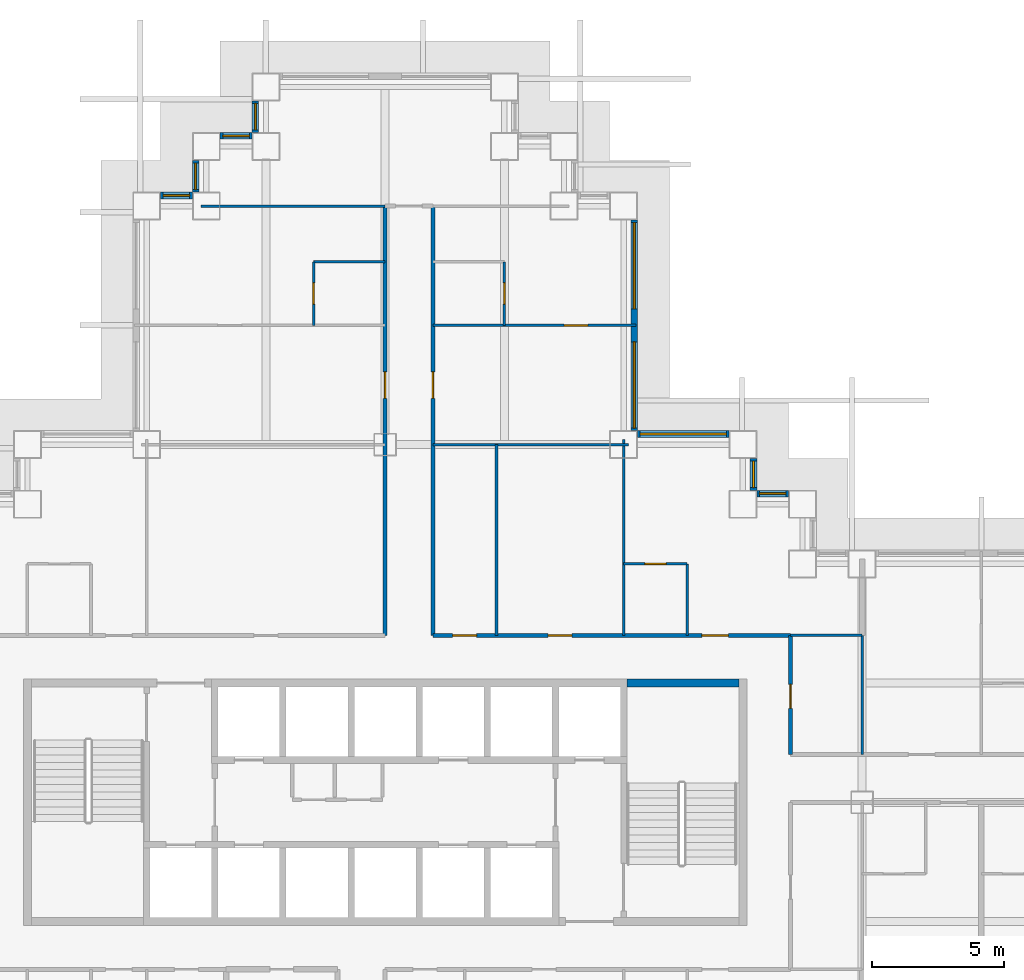
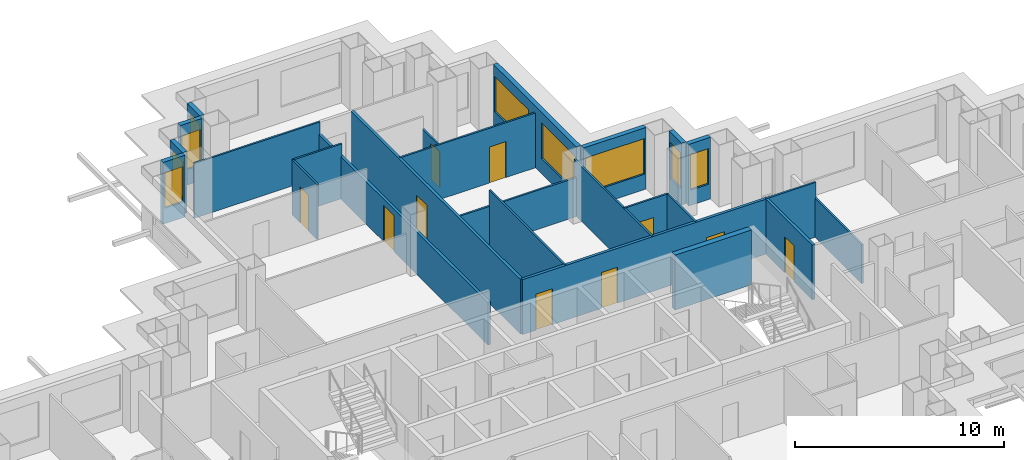
# One storey, part 8 of 15: 25 walls, 10 doors, 9 windows, 19 openings.
"""IFC4 building model written with IfcOpenShell, lengths in metres."""

from ifc_helpers import new_model, si_unit, direction, frame, frame_2d, origin, place, context, subcontext, project, spatial, rectangle, extrude, material, layer, layer_set, type_object, element, fill, save


model = new_model("IFC4")

# Units and contexts
model_context = context("Model", 3, precision=1e-05, world=origin(), true_north=direction((0.0, 1.0)))
body_context = subcontext(model_context, "Body", "Model", "MODEL_VIEW")
ifc_project = project(units=[si_unit("LENGTHUNIT", "METRE"), si_unit("AREAUNIT", "SQUARE_METRE"), si_unit("VOLUMEUNIT", "CUBIC_METRE"), si_unit("PLANEANGLEUNIT", "RADIAN"), si_unit("MASSUNIT", "GRAM", prefix="KILO")], contexts=[model_context])

# Site, building, storey
site_placement = place(None, origin())
site = spatial("IfcSite", under=ifc_project, at=site_placement, CompositionType="ELEMENT")
building_placement = place(site_placement, origin())
building = spatial("IfcBuilding", under=site, at=building_placement, Name="Caravel Reach Hotel and Residences", CompositionType="ELEMENT")
storey_placement = place(building_placement, frame((0.0, 0.0, 44.39990234375)))
storey = spatial("IfcBuildingStorey", under=building, at=storey_placement, Name="L09", CompositionType="ELEMENT", Elevation=44.39990234375)

# Wall, opening, door
ifc_material_1 = material(Name="Gypsum board on steel stud", Category="steel")
ifc_layer_1 = layer(ifc_material_1, 0.10009765625)
ifc_layer_set_1 = layer_set([ifc_layer_1], Name="Bathroom pod wall 100 mm")
wall_type_1 = type_object("IfcWallType", Name="Bathroom pod wall 100 mm", PredefinedType="PARTITIONING", material=ifc_layer_set_1)
wall_1_placement = place(storey_placement, frame((40.5, 36.0, 0.0), z_axis=(0.0, 0.0, 1.0), x_axis=(1.0, 0.0, 0.0)))
wall_1 = element("IfcWall", 1, at=wall_1_placement, inside=storey, type_object=wall_type_1, Name="L09 wall w086", PredefinedType="PARTITIONING", context=body_context, shape_type="SweptSolid", body=[
    extrude(rectangle(XDim=2.39990234375, YDim=0.10009765625, at=frame_2d((1.199951171875, 0.0))), origin(), (0.0, 0.0, 1.0), 3.2001953125),
])
opening_1_placement = place(wall_1_placement, frame((0.800048828125, 0.0, 0.0)))
opening_1 = element("IfcOpeningElement", 2, at=opening_1_placement, cuts=wall_1, Name="Opening D09-045", PredefinedType="OPENING", context=body_context, shape_type="SweptSolid", body=[
    extrude(rectangle(XDim=0.800048828125, YDim=2.10009765625, at=frame_2d((0.39990234375, 1.050048828125))), frame((0.0, 0.06005859375, 0.0), z_axis=(0.0, -1.0, 0.0), x_axis=(1.0, 0.0, 0.0)), (0.0, 0.0, 1.0), 0.1201171875),
])
ifc_material_2 = material(Name="Timber and steel door leaf", Category="steel")
door_type_1 = type_object("IfcDoorType", Name="Bathroom door 800 x 2100", OperationType="SINGLE_SWING_LEFT", PredefinedType="DOOR", material=ifc_material_2)
door_1_placement = place(opening_1_placement, origin())
door_1 = element("IfcDoor", 3, at=door_1_placement, inside=storey, type_object=door_type_1, Name="door D09-045", OperationType="SINGLE_SWING_LEFT", OverallHeight=2.10009765625, OverallWidth=0.800048828125, PredefinedType="DOOR", context=body_context, shape_type="SweptSolid", body=[
    extrude(rectangle(XDim=0.800048828125, YDim=2.10009765625, at=frame_2d((0.39990234375, 1.050048828125))), frame((0.0, 0.02490234375, 0.0), z_axis=(0.0, -1.0, 0.0), x_axis=(1.0, 0.0, 0.0)), (0.0, 0.0, 1.0), 0.050048828125),
])
fill(opening_1, door_1)

# Wall
wall_2_placement = place(storey_placement, frame((28.800048828125, 47.39990234375, 0.0), z_axis=(0.0, 0.0, 1.0), x_axis=(1.0, 0.0, 0.0)))
element("IfcWall", 4, at=wall_2_placement, inside=storey, type_object=wall_type_1, Name="L09 wall w088", PredefinedType="PARTITIONING", context=body_context, shape_type="SweptSolid", body=[
    extrude(rectangle(XDim=2.699951171875, YDim=0.10009765625, at=frame_2d((1.35009765625, 0.0))), origin(), (0.0, 0.0, 1.0), 3.2001953125),
])

# Wall, opening, door
wall_3_placement = place(storey_placement, frame((28.800048828125, 45.0, 0.0), z_axis=(0.0, 0.0, 1.0), x_axis=(0.0, 1.0, 0.0)))
wall_3 = element("IfcWall", 5, at=wall_3_placement, inside=storey, type_object=wall_type_1, Name="L09 wall w096", PredefinedType="PARTITIONING", context=body_context, shape_type="SweptSolid", body=[
    extrude(rectangle(XDim=2.39990234375, YDim=0.10009765625, at=frame_2d((1.199951171875, 0.0))), origin(), (0.0, 0.0, 1.0), 3.2001953125),
])
opening_2_placement = place(wall_3_placement, frame((0.800048828125, 0.0, 0.0)))
opening_2 = element("IfcOpeningElement", 6, at=opening_2_placement, cuts=wall_3, Name="Opening D09-029", PredefinedType="OPENING", context=body_context, shape_type="SweptSolid", body=[
    extrude(rectangle(XDim=0.800048828125, YDim=2.10009765625, at=frame_2d((0.39990234375, 1.050048828125))), frame((0.0, 0.06005859375, 0.0), z_axis=(0.0, -1.0, 0.0), x_axis=(1.0, 0.0, 0.0)), (0.0, 0.0, 1.0), 0.1201171875),
])
door_2_placement = place(opening_2_placement, origin())
door_2 = element("IfcDoor", 7, at=door_2_placement, inside=storey, type_object=door_type_1, Name="door D09-029", OperationType="SINGLE_SWING_LEFT", OverallHeight=2.10009765625, OverallWidth=0.800048828125, PredefinedType="DOOR", context=body_context, shape_type="SweptSolid", body=[
    extrude(rectangle(XDim=0.800048828125, YDim=2.10009765625, at=frame_2d((0.39990234375, 1.050048828125))), frame((0.0, 0.02490234375, 0.0), z_axis=(0.0, -1.0, 0.0), x_axis=(1.0, 0.0, 0.0)), (0.0, 0.0, 1.0), 0.050048828125),
])
fill(opening_2, door_2)

wall_4_placement = place(storey_placement, frame((36.0, 45.0, 0.0), z_axis=(0.0, 0.0, 1.0), x_axis=(0.0, 1.0, 0.0)))
wall_4 = element("IfcWall", 8, at=wall_4_placement, inside=storey, type_object=wall_type_1, Name="L09 wall w098", PredefinedType="PARTITIONING", context=body_context, shape_type="SweptSolid", body=[
    extrude(rectangle(XDim=2.39990234375, YDim=0.10009765625, at=frame_2d((1.199951171875, 0.0))), origin(), (0.0, 0.0, 1.0), 2.47998046875),
])
opening_3_placement = place(wall_4_placement, frame((0.800048828125, 0.0, 0.0)))
opening_3 = element("IfcOpeningElement", 9, at=opening_3_placement, cuts=wall_4, Name="Opening D09-032", PredefinedType="OPENING", context=body_context, shape_type="SweptSolid", body=[
    extrude(rectangle(XDim=0.800048828125, YDim=2.10009765625, at=frame_2d((0.39990234375, 1.050048828125))), frame((0.0, 0.06005859375, 0.0), z_axis=(0.0, -1.0, 0.0), x_axis=(1.0, 0.0, 0.0)), (0.0, 0.0, 1.0), 0.1201171875),
])
door_3_placement = place(opening_3_placement, origin())
door_3 = element("IfcDoor", 10, at=door_3_placement, inside=storey, type_object=door_type_1, Name="door D09-032", OperationType="SINGLE_SWING_LEFT", OverallHeight=2.10009765625, OverallWidth=0.800048828125, PredefinedType="DOOR", context=body_context, shape_type="SweptSolid", body=[
    extrude(rectangle(XDim=0.800048828125, YDim=2.10009765625, at=frame_2d((0.39990234375, 1.050048828125))), frame((0.0, 0.02490234375, 0.0), z_axis=(0.0, -1.0, 0.0), x_axis=(1.0, 0.0, 0.0)), (0.0, 0.0, 1.0), 0.050048828125),
])
fill(opening_3, door_3)

# Walls
wall_5_placement = place(storey_placement, frame((42.89990234375, 33.300048828125, 0.0), z_axis=(0.0, 0.0, 1.0), x_axis=(0.0, 1.0, 0.0)))
element("IfcWall", 11, at=wall_5_placement, inside=storey, type_object=wall_type_1, Name="L09 wall w099", PredefinedType="PARTITIONING", context=body_context, shape_type="SweptSolid", body=[
    extrude(rectangle(XDim=2.699951171875, YDim=0.10009765625, at=frame_2d((1.35009765625, 0.0))), origin(), (0.0, 0.0, 1.0), 3.2001953125),
])
ifc_material_3 = material(Name="Concrete C60", Category="concrete")
ifc_layer_2 = layer(ifc_material_3, 0.300048828125)
ifc_layer_set_2 = layer_set([ifc_layer_2], Name="Core wall 300 mm EI 120")
wall_type_2 = type_object("IfcWallType", Name="Core wall 300 mm EI 120", PredefinedType="SHEAR", material=ifc_layer_set_2)
wall_6_placement = place(storey_placement, frame((40.625, 31.5, 0.0), z_axis=(0.0, 0.0, 1.0), x_axis=(1.0, 0.0, 0.0)))
element("IfcWall", 12, at=wall_6_placement, inside=storey, type_object=wall_type_2, Name="L09 core wall N2", PredefinedType="SHEAR", context=body_context, shape_type="SweptSolid", body=[
    extrude(rectangle(XDim=4.22509765625, YDim=0.300048828125, at=frame_2d((2.112548828125, 0.0))), origin(), (0.0, 0.0, 1.0), 3.2001953125),
])

# Wall, openings, doors
ifc_material_4 = material(Name="Gypsum board on steel stud, fire-rated", Category="steel")
ifc_layer_3 = layer(ifc_material_4, 0.14990234375)
ifc_layer_set_3 = layer_set([ifc_layer_3], Name="Corridor wall 150 mm EI 60")
wall_type_3 = type_object("IfcWallType", Name="Corridor wall 150 mm EI 60", PredefinedType="PARTITIONING", material=ifc_layer_set_3)
wall_7_placement = place(storey_placement, frame((33.300048828125, 33.300048828125, 0.0), z_axis=(0.0, 0.0, 1.0), x_axis=(1.0, 0.0, 0.0)))
wall_7 = element("IfcWall", 13, at=wall_7_placement, inside=storey, type_object=wall_type_3, Name="L09 wall w019", PredefinedType="PARTITIONING", context=body_context, shape_type="SweptSolid", body=[
    extrude(rectangle(XDim=13.5, YDim=0.14990234375, at=frame_2d((6.75, 0.0))), origin(), (0.0, 0.0, 1.0), 3.2001953125),
])
opening_4_placement = place(wall_7_placement, frame((10.14990234375, 0.0, 0.0)))
opening_4 = element("IfcOpeningElement", 14, at=opening_4_placement, cuts=wall_7, Name="Opening D09-044", PredefinedType="OPENING", context=body_context, shape_type="SweptSolid", body=[
    extrude(rectangle(XDim=1.0, YDim=2.10009765625, at=frame_2d((0.5, 1.050048828125))), frame((0.0, 0.0849609375, 0.0), z_axis=(0.0, -1.0, 0.0), x_axis=(1.0, 0.0, 0.0)), (0.0, 0.0, 1.0), 0.169921875),
])
opening_5_placement = place(wall_7_placement, frame((0.75, 0.0, 0.0)))
opening_5 = element("IfcOpeningElement", 15, at=opening_5_placement, cuts=wall_7, Name="Opening D09-051", PredefinedType="OPENING", context=body_context, shape_type="SweptSolid", body=[
    extrude(rectangle(XDim=0.89990234375, YDim=2.10009765625, at=frame_2d((0.449951171875, 1.050048828125))), frame((0.0, 0.0849609375, 0.0), z_axis=(0.0, -1.0, 0.0), x_axis=(1.0, 0.0, 0.0)), (0.0, 0.0, 1.0), 0.169921875),
])
opening_6_placement = place(wall_7_placement, frame((4.349853515625, 0.0, 0.0)))
opening_6 = element("IfcOpeningElement", 16, at=opening_6_placement, cuts=wall_7, Name="Opening D09-052", PredefinedType="OPENING", context=body_context, shape_type="SweptSolid", body=[
    extrude(rectangle(XDim=0.89990234375, YDim=2.10009765625, at=frame_2d((0.449951171875, 1.050048828125))), frame((0.0, 0.0849609375, 0.0), z_axis=(0.0, -1.0, 0.0), x_axis=(1.0, 0.0, 0.0)), (0.0, 0.0, 1.0), 0.169921875),
])
ifc_material_5 = material(Name="Timber and steel door leaf", Category="steel")
door_type_2 = type_object("IfcDoorType", Name="Door 900 x 2100 timber", OperationType="SINGLE_SWING_LEFT", PredefinedType="DOOR", material=ifc_material_5)
door_4_placement = place(opening_5_placement, origin())
door_4 = element("IfcDoor", 17, at=door_4_placement, inside=storey, type_object=door_type_2, Name="door D09-051", OperationType="SINGLE_SWING_RIGHT", OverallHeight=2.10009765625, OverallWidth=0.89990234375, PredefinedType="DOOR", context=body_context, shape_type="SweptSolid", body=[
    extrude(rectangle(XDim=0.89990234375, YDim=2.10009765625, at=frame_2d((0.449951171875, 1.050048828125))), frame((0.0, 0.02490234375, 0.0), z_axis=(0.0, -1.0, 0.0), x_axis=(1.0, 0.0, 0.0)), (0.0, 0.0, 1.0), 0.050048828125),
])
fill(opening_5, door_4)
door_5_placement = place(opening_6_placement, origin())
door_5 = element("IfcDoor", 18, at=door_5_placement, inside=storey, type_object=door_type_2, Name="door D09-052", OperationType="SINGLE_SWING_LEFT", OverallHeight=2.10009765625, OverallWidth=0.89990234375, PredefinedType="DOOR", context=body_context, shape_type="SweptSolid", body=[
    extrude(rectangle(XDim=0.89990234375, YDim=2.10009765625, at=frame_2d((0.449951171875, 1.050048828125))), frame((0.0, 0.02490234375, 0.0), z_axis=(0.0, -1.0, 0.0), x_axis=(1.0, 0.0, 0.0)), (0.0, 0.0, 1.0), 0.050048828125),
])
fill(opening_6, door_5)
ifc_material_6 = material(Name="Steel fire door leaf", Category="steel")
door_type_3 = type_object("IfcDoorType", Name="Guest room door 1000 x 2100 EI 30", OperationType="SINGLE_SWING_LEFT", PredefinedType="DOOR", material=ifc_material_6)
door_6_placement = place(opening_4_placement, origin())
door_6 = element("IfcDoor", 19, at=door_6_placement, inside=storey, type_object=door_type_3, Name="door D09-044", OperationType="SINGLE_SWING_RIGHT", OverallHeight=2.10009765625, OverallWidth=1.0, PredefinedType="DOOR", context=body_context, shape_type="SweptSolid", body=[
    extrude(rectangle(XDim=1.0, YDim=2.10009765625, at=frame_2d((0.5, 1.050048828125))), frame((0.0, 0.02490234375, 0.0), z_axis=(0.0, -1.0, 0.0), x_axis=(1.0, 0.0, 0.0)), (0.0, 0.0, 1.0), 0.050048828125),
])
fill(opening_4, door_6)

# Wall, opening, door
wall_8_placement = place(storey_placement, frame((31.5, 33.300048828125, 0.0), z_axis=(0.0, 0.0, 1.0), x_axis=(0.0, 1.0, 0.0)))
wall_8 = element("IfcWall", 20, at=wall_8_placement, inside=storey, type_object=wall_type_3, Name="L09 wall w027", PredefinedType="PARTITIONING", context=body_context, shape_type="SweptSolid", body=[
    extrude(rectangle(XDim=16.199951171875, YDim=0.14990234375, at=frame_2d((8.10009765625, 0.0))), origin(), (0.0, 0.0, 1.0), 2.47998046875),
])
opening_7_placement = place(wall_8_placement, frame((8.949951171875, 0.0, 0.0)))
opening_7 = element("IfcOpeningElement", 21, at=opening_7_placement, cuts=wall_8, Name="Opening D09-027", PredefinedType="OPENING", context=body_context, shape_type="SweptSolid", body=[
    extrude(rectangle(XDim=1.0, YDim=2.10009765625, at=frame_2d((0.5, 1.050048828125))), frame((0.0, 0.0849609375, 0.0), z_axis=(0.0, -1.0, 0.0), x_axis=(1.0, 0.0, 0.0)), (0.0, 0.0, 1.0), 0.169921875),
])
door_7_placement = place(opening_7_placement, origin())
door_7 = element("IfcDoor", 22, at=door_7_placement, inside=storey, type_object=door_type_3, Name="door D09-027", OperationType="SINGLE_SWING_LEFT", OverallHeight=2.10009765625, OverallWidth=1.0, PredefinedType="DOOR", context=body_context, shape_type="SweptSolid", body=[
    extrude(rectangle(XDim=1.0, YDim=2.10009765625, at=frame_2d((0.5, 1.050048828125))), frame((0.0, 0.02490234375, 0.0), z_axis=(0.0, -1.0, 0.0), x_axis=(1.0, 0.0, 0.0)), (0.0, 0.0, 1.0), 0.050048828125),
])
fill(opening_7, door_7)

wall_9_placement = place(storey_placement, frame((33.300048828125, 33.300048828125, 0.0), z_axis=(0.0, 0.0, 1.0), x_axis=(0.0, 1.0, 0.0)))
wall_9 = element("IfcWall", 23, at=wall_9_placement, inside=storey, type_object=wall_type_3, Name="L09 wall w031", PredefinedType="PARTITIONING", context=body_context, shape_type="SweptSolid", body=[
    extrude(rectangle(XDim=16.199951171875, YDim=0.14990234375, at=frame_2d((8.10009765625, 0.0))), origin(), (0.0, 0.0, 1.0), 3.2001953125),
])
opening_8_placement = place(wall_9_placement, frame((8.949951171875, 0.0, 0.0)))
opening_8 = element("IfcOpeningElement", 24, at=opening_8_placement, cuts=wall_9, Name="Opening D09-030", PredefinedType="OPENING", context=body_context, shape_type="SweptSolid", body=[
    extrude(rectangle(XDim=1.0, YDim=2.10009765625, at=frame_2d((0.5, 1.050048828125))), frame((0.0, 0.0849609375, 0.0), z_axis=(0.0, -1.0, 0.0), x_axis=(1.0, 0.0, 0.0)), (0.0, 0.0, 1.0), 0.169921875),
])
door_8_placement = place(opening_8_placement, origin())
door_8 = element("IfcDoor", 25, at=door_8_placement, inside=storey, type_object=door_type_3, Name="door D09-030", OperationType="SINGLE_SWING_RIGHT", OverallHeight=2.10009765625, OverallWidth=1.0, PredefinedType="DOOR", context=body_context, shape_type="SweptSolid", body=[
    extrude(rectangle(XDim=1.0, YDim=2.10009765625, at=frame_2d((0.5, 1.050048828125))), frame((0.0, 0.02490234375, 0.0), z_axis=(0.0, -1.0, 0.0), x_axis=(1.0, 0.0, 0.0)), (0.0, 0.0, 1.0), 0.050048828125),
])
fill(opening_8, door_8)

wall_10_placement = place(storey_placement, frame((46.800048828125, 28.800048828125, 0.0), z_axis=(0.0, 0.0, 1.0), x_axis=(0.0, 1.0, 0.0)))
wall_10 = element("IfcWall", 26, at=wall_10_placement, inside=storey, type_object=wall_type_3, Name="L09 wall w034", PredefinedType="PARTITIONING", context=body_context, shape_type="SweptSolid", body=[
    extrude(rectangle(XDim=4.5, YDim=0.14990234375, at=frame_2d((2.25, 0.0))), origin(), (0.0, 0.0, 1.0), 3.2001953125),
])
opening_9_placement = place(wall_10_placement, frame((1.75, 0.0, 0.0)))
opening_9 = element("IfcOpeningElement", 27, at=opening_9_placement, cuts=wall_10, Name="Opening D09-060", PredefinedType="OPENING", context=body_context, shape_type="SweptSolid", body=[
    extrude(rectangle(XDim=0.89990234375, YDim=2.10009765625, at=frame_2d((0.449951171875, 1.050048828125))), frame((0.0, 0.0849609375, 0.0), z_axis=(0.0, -1.0, 0.0), x_axis=(1.0, 0.0, 0.0)), (0.0, 0.0, 1.0), 0.169921875),
])
door_9_placement = place(opening_9_placement, origin())
door_9 = element("IfcDoor", 28, at=door_9_placement, inside=storey, type_object=door_type_2, Name="door D09-060", OperationType="SINGLE_SWING_RIGHT", OverallHeight=2.10009765625, OverallWidth=0.89990234375, PredefinedType="DOOR", context=body_context, shape_type="SweptSolid", body=[
    extrude(rectangle(XDim=0.89990234375, YDim=2.10009765625, at=frame_2d((0.449951171875, 1.050048828125))), frame((0.0, 0.02490234375, 0.0), z_axis=(0.0, -1.0, 0.0), x_axis=(1.0, 0.0, 0.0)), (0.0, 0.0, 1.0), 0.050048828125),
])
fill(opening_9, door_9)

# Wall, opening, window
ifc_material_7 = material(Name="Insulated rainscreen wall, aluminium cladding", Category="aluminium")
ifc_layer_4 = layer(ifc_material_7, 0.25)
ifc_layer_set_4 = layer_set([ifc_layer_4], Name="EW1 Tower rainscreen wall")
wall_type_4 = type_object("IfcWallType", Name="EW1 Tower rainscreen wall", PredefinedType="SOLIDWALL", material=ifc_layer_set_4)
wall_11_placement = place(storey_placement, frame((46.72509765625, 38.64990234375, 0.0), z_axis=(0.0, 0.0, 1.0), x_axis=(-1.0, 0.0, 0.0)))
wall_11 = element("IfcWall", 29, at=wall_11_placement, inside=storey, type_object=wall_type_4, Name="External wall L09 N27.1", PredefinedType="SOLIDWALL", context=body_context, shape_type="SweptSolid", body=[
    extrude(rectangle(XDim=1.2001953125, YDim=0.25, at=frame_2d((0.60009765625, 0.0))), origin(), (0.0, 0.0, 1.0), 3.60009765625),
])
opening_10_placement = place(wall_11_placement, frame((0.10009765625, 0.0, 0.89990234375)))
opening_10 = element("IfcOpeningElement", 30, at=opening_10_placement, cuts=wall_11, Name="Opening WN1", PredefinedType="OPENING", context=body_context, shape_type="SweptSolid", body=[
    extrude(rectangle(XDim=1.0, YDim=2.080078125, at=frame_2d((0.5, 1.0400390625))), frame((0.0, 0.135009765625, 0.0), z_axis=(0.0, -1.0, 0.0), x_axis=(1.0, 0.0, 0.0)), (0.0, 0.0, 1.0), 0.27001953125),
])
ifc_material_8 = material(Name="Dark low-e glazing in black aluminium frame", Category="aluminium")
window_type_1 = type_object("IfcWindowType", Name="Hotel suite corner window 1000 x 2080", PartitioningType="SINGLE_PANEL", PredefinedType="WINDOW", material=ifc_material_8)
window_1_placement = place(opening_10_placement, origin())
window_1 = element("IfcWindow", 31, at=window_1_placement, inside=storey, type_object=window_type_1, Name="Window L09 N27.1.1", OverallHeight=2.080078125, OverallWidth=1.0, PartitioningType="SINGLE_PANEL", PredefinedType="WINDOW", context=body_context, shape_type="SweptSolid", body=[
    extrude(rectangle(XDim=1.0, YDim=2.080078125, at=frame_2d((0.5, 1.0400390625))), frame((0.0, 0.030029296875, 0.0), z_axis=(0.0, -1.0, 0.0), x_axis=(1.0, 0.0, 0.0)), (0.0, 0.0, 1.0), 0.06005859375),
])
fill(opening_10, window_1)

wall_12_placement = place(storey_placement, frame((45.39990234375, 38.77490234375, 0.0), z_axis=(0.0, 0.0, 1.0), x_axis=(0.0, 1.0, 0.0)))
wall_12 = element("IfcWall", 32, at=wall_12_placement, inside=storey, type_object=wall_type_4, Name="External wall L09 E28.1", PredefinedType="SOLIDWALL", context=body_context, shape_type="SweptSolid", body=[
    extrude(rectangle(XDim=1.2001953125, YDim=0.25, at=frame_2d((0.60009765625, 0.0))), origin(), (0.0, 0.0, 1.0), 3.60009765625),
])
opening_11_placement = place(wall_12_placement, frame((0.10009765625, 0.0, 0.89990234375)))
opening_11 = element("IfcOpeningElement", 33, at=opening_11_placement, cuts=wall_12, Name="Opening WN1", PredefinedType="OPENING", context=body_context, shape_type="SweptSolid", body=[
    extrude(rectangle(XDim=1.0, YDim=2.080078125, at=frame_2d((0.5, 1.0400390625))), frame((0.0, 0.135009765625, 0.0), z_axis=(0.0, -1.0, 0.0), x_axis=(1.0, 0.0, 0.0)), (0.0, 0.0, 1.0), 0.27001953125),
])
window_2_placement = place(opening_11_placement, origin())
window_2 = element("IfcWindow", 34, at=window_2_placement, inside=storey, type_object=window_type_1, Name="Window L09 E28.1.1", OverallHeight=2.080078125, OverallWidth=1.0, PartitioningType="SINGLE_PANEL", PredefinedType="WINDOW", context=body_context, shape_type="SweptSolid", body=[
    extrude(rectangle(XDim=1.0, YDim=2.080078125, at=frame_2d((0.5, 1.0400390625))), frame((0.0, 0.030029296875, 0.0), z_axis=(0.0, -1.0, 0.0), x_axis=(1.0, 0.0, 0.0)), (0.0, 0.0, 1.0), 0.06005859375),
])
fill(opening_11, window_2)

wall_13_placement = place(storey_placement, frame((44.47509765625, 40.89990234375, 0.0), z_axis=(0.0, 0.0, 1.0), x_axis=(-1.0, 0.0, 0.0)))
wall_13 = element("IfcWall", 35, at=wall_13_placement, inside=storey, type_object=wall_type_4, Name="External wall L09 N29.1", PredefinedType="SOLIDWALL", context=body_context, shape_type="SweptSolid", body=[
    extrude(rectangle(XDim=3.4501953125, YDim=0.25, at=frame_2d((1.72509765625, 0.0))), origin(), (0.0, 0.0, 1.0), 3.60009765625),
])
opening_12_placement = place(wall_13_placement, frame((0.10009765625, 0.0, 0.89990234375)))
opening_12 = element("IfcOpeningElement", 36, at=opening_12_placement, cuts=wall_13, Name="Opening WN2", PredefinedType="OPENING", context=body_context, shape_type="SweptSolid", body=[
    extrude(rectangle(XDim=3.25, YDim=2.080078125, at=frame_2d((1.625, 1.0400390625))), frame((0.0, 0.135009765625, 0.0), z_axis=(0.0, -1.0, 0.0), x_axis=(1.0, 0.0, 0.0)), (0.0, 0.0, 1.0), 0.27001953125),
])
ifc_material_9 = material(Name="Dark low-e glazing in black aluminium frame", Category="aluminium")
window_type_2 = type_object("IfcWindowType", Name="Hotel guest room window 3250 x 2080", PartitioningType="SINGLE_PANEL", PredefinedType="WINDOW", material=ifc_material_9)
window_3_placement = place(opening_12_placement, origin())
window_3 = element("IfcWindow", 37, at=window_3_placement, inside=storey, type_object=window_type_2, Name="Window L09 N29.1.1", OverallHeight=2.080078125, OverallWidth=3.25, PartitioningType="SINGLE_PANEL", PredefinedType="WINDOW", context=body_context, shape_type="SweptSolid", body=[
    extrude(rectangle(XDim=3.25, YDim=2.080078125, at=frame_2d((1.625, 1.0400390625))), frame((0.0, 0.030029296875, 0.0), z_axis=(0.0, -1.0, 0.0), x_axis=(1.0, 0.0, 0.0)), (0.0, 0.0, 1.0), 0.06005859375),
])
fill(opening_12, window_3)

# Wall, openings, windows
wall_14_placement = place(storey_placement, frame((40.89990234375, 41.02490234375, 0.0), z_axis=(0.0, 0.0, 1.0), x_axis=(0.0, 1.0, 0.0)))
wall_14 = element("IfcWall", 38, at=wall_14_placement, inside=storey, type_object=wall_type_4, Name="External wall L09 E30.1", PredefinedType="SOLIDWALL", context=body_context, shape_type="SweptSolid", body=[
    extrude(rectangle(XDim=7.9501953125, YDim=0.25, at=frame_2d((3.97509765625, 0.0))), origin(), (0.0, 0.0, 1.0), 3.60009765625),
])
opening_13_placement = place(wall_14_placement, frame((0.10009765625, 0.0, 0.89990234375)))
opening_13 = element("IfcOpeningElement", 39, at=opening_13_placement, cuts=wall_14, Name="Opening WN2", PredefinedType="OPENING", context=body_context, shape_type="SweptSolid", body=[
    extrude(rectangle(XDim=3.25, YDim=2.080078125, at=frame_2d((1.625, 1.0400390625))), frame((0.0, 0.135009765625, 0.0), z_axis=(0.0, -1.0, 0.0), x_axis=(1.0, 0.0, 0.0)), (0.0, 0.0, 1.0), 0.27001953125),
])
opening_14_placement = place(wall_14_placement, frame((4.60009765625, 0.0, 0.89990234375)))
opening_14 = element("IfcOpeningElement", 40, at=opening_14_placement, cuts=wall_14, Name="Opening WN2", PredefinedType="OPENING", context=body_context, shape_type="SweptSolid", body=[
    extrude(rectangle(XDim=3.25, YDim=2.080078125, at=frame_2d((1.625, 1.0400390625))), frame((0.0, 0.135009765625, 0.0), z_axis=(0.0, -1.0, 0.0), x_axis=(1.0, 0.0, 0.0)), (0.0, 0.0, 1.0), 0.27001953125),
])
window_4_placement = place(opening_13_placement, origin())
window_4 = element("IfcWindow", 41, at=window_4_placement, inside=storey, type_object=window_type_2, Name="Window L09 E30.1.1", OverallHeight=2.080078125, OverallWidth=3.25, PartitioningType="SINGLE_PANEL", PredefinedType="WINDOW", context=body_context, shape_type="SweptSolid", body=[
    extrude(rectangle(XDim=3.25, YDim=2.080078125, at=frame_2d((1.625, 1.0400390625))), frame((0.0, 0.030029296875, 0.0), z_axis=(0.0, -1.0, 0.0), x_axis=(1.0, 0.0, 0.0)), (0.0, 0.0, 1.0), 0.06005859375),
])
fill(opening_13, window_4)
window_5_placement = place(opening_14_placement, origin())
window_5 = element("IfcWindow", 42, at=window_5_placement, inside=storey, type_object=window_type_2, Name="Window L09 E30.1.2", OverallHeight=2.080078125, OverallWidth=3.25, PartitioningType="SINGLE_PANEL", PredefinedType="WINDOW", context=body_context, shape_type="SweptSolid", body=[
    extrude(rectangle(XDim=3.25, YDim=2.080078125, at=frame_2d((1.625, 1.0400390625))), frame((0.0, 0.030029296875, 0.0), z_axis=(0.0, -1.0, 0.0), x_axis=(1.0, 0.0, 0.0)), (0.0, 0.0, 1.0), 0.06005859375),
])
fill(opening_14, window_5)

# Wall, opening, window
wall_15_placement = place(storey_placement, frame((26.60009765625, 53.47509765625, 0.0), z_axis=(0.0, 0.0, 1.0), x_axis=(0.0, -1.0, 0.0)))
wall_15 = element("IfcWall", 43, at=wall_15_placement, inside=storey, type_object=wall_type_4, Name="External wall L09 W36.1", PredefinedType="SOLIDWALL", context=body_context, shape_type="SweptSolid", body=[
    extrude(rectangle(XDim=1.2001953125, YDim=0.25, at=frame_2d((0.60009765625, 0.0))), origin(), (0.0, 0.0, 1.0), 3.60009765625),
])
opening_15_placement = place(wall_15_placement, frame((0.10009765625, 0.0, 0.89990234375)))
opening_15 = element("IfcOpeningElement", 44, at=opening_15_placement, cuts=wall_15, Name="Opening WN1", PredefinedType="OPENING", context=body_context, shape_type="SweptSolid", body=[
    extrude(rectangle(XDim=1.0, YDim=2.080078125, at=frame_2d((0.5, 1.0400390625))), frame((0.0, 0.135009765625, 0.0), z_axis=(0.0, -1.0, 0.0), x_axis=(1.0, 0.0, 0.0)), (0.0, 0.0, 1.0), 0.27001953125),
])
window_6_placement = place(opening_15_placement, origin())
window_6 = element("IfcWindow", 45, at=window_6_placement, inside=storey, type_object=window_type_1, Name="Window L09 W36.1.1", OverallHeight=2.080078125, OverallWidth=1.0, PartitioningType="SINGLE_PANEL", PredefinedType="WINDOW", context=body_context, shape_type="SweptSolid", body=[
    extrude(rectangle(XDim=1.0, YDim=2.080078125, at=frame_2d((0.5, 1.0400390625))), frame((0.0, 0.030029296875, 0.0), z_axis=(0.0, -1.0, 0.0), x_axis=(1.0, 0.0, 0.0)), (0.0, 0.0, 1.0), 0.06005859375),
])
fill(opening_15, window_6)

wall_16_placement = place(storey_placement, frame((26.47509765625, 52.14990234375, 0.0), z_axis=(0.0, 0.0, 1.0), x_axis=(-1.0, 0.0, 0.0)))
wall_16 = element("IfcWall", 46, at=wall_16_placement, inside=storey, type_object=wall_type_4, Name="External wall L09 N37.1", PredefinedType="SOLIDWALL", context=body_context, shape_type="SweptSolid", body=[
    extrude(rectangle(XDim=1.2001953125, YDim=0.25, at=frame_2d((0.60009765625, 0.0))), origin(), (0.0, 0.0, 1.0), 3.60009765625),
])
opening_16_placement = place(wall_16_placement, frame((0.10009765625, 0.0, 0.89990234375)))
opening_16 = element("IfcOpeningElement", 47, at=opening_16_placement, cuts=wall_16, Name="Opening WN1", PredefinedType="OPENING", context=body_context, shape_type="SweptSolid", body=[
    extrude(rectangle(XDim=1.0, YDim=2.080078125, at=frame_2d((0.5, 1.0400390625))), frame((0.0, 0.135009765625, 0.0), z_axis=(0.0, -1.0, 0.0), x_axis=(1.0, 0.0, 0.0)), (0.0, 0.0, 1.0), 0.27001953125),
])
window_7_placement = place(opening_16_placement, origin())
window_7 = element("IfcWindow", 48, at=window_7_placement, inside=storey, type_object=window_type_1, Name="Window L09 N37.1.1", OverallHeight=2.080078125, OverallWidth=1.0, PartitioningType="SINGLE_PANEL", PredefinedType="WINDOW", context=body_context, shape_type="SweptSolid", body=[
    extrude(rectangle(XDim=1.0, YDim=2.080078125, at=frame_2d((0.5, 1.0400390625))), frame((0.0, 0.030029296875, 0.0), z_axis=(0.0, -1.0, 0.0), x_axis=(1.0, 0.0, 0.0)), (0.0, 0.0, 1.0), 0.06005859375),
])
fill(opening_16, window_7)

wall_17_placement = place(storey_placement, frame((24.35009765625, 51.22509765625, 0.0), z_axis=(0.0, 0.0, 1.0), x_axis=(0.0, -1.0, 0.0)))
wall_17 = element("IfcWall", 49, at=wall_17_placement, inside=storey, type_object=wall_type_4, Name="External wall L09 W38.1", PredefinedType="SOLIDWALL", context=body_context, shape_type="SweptSolid", body=[
    extrude(rectangle(XDim=1.2001953125, YDim=0.25, at=frame_2d((0.60009765625, 0.0))), origin(), (0.0, 0.0, 1.0), 3.60009765625),
])
opening_17_placement = place(wall_17_placement, frame((0.10009765625, 0.0, 0.89990234375)))
opening_17 = element("IfcOpeningElement", 50, at=opening_17_placement, cuts=wall_17, Name="Opening WN1", PredefinedType="OPENING", context=body_context, shape_type="SweptSolid", body=[
    extrude(rectangle(XDim=1.0, YDim=2.080078125, at=frame_2d((0.5, 1.0400390625))), frame((0.0, 0.135009765625, 0.0), z_axis=(0.0, -1.0, 0.0), x_axis=(1.0, 0.0, 0.0)), (0.0, 0.0, 1.0), 0.27001953125),
])
window_8_placement = place(opening_17_placement, origin())
window_8 = element("IfcWindow", 51, at=window_8_placement, inside=storey, type_object=window_type_1, Name="Window L09 W38.1.1", OverallHeight=2.080078125, OverallWidth=1.0, PartitioningType="SINGLE_PANEL", PredefinedType="WINDOW", context=body_context, shape_type="SweptSolid", body=[
    extrude(rectangle(XDim=1.0, YDim=2.080078125, at=frame_2d((0.5, 1.0400390625))), frame((0.0, 0.030029296875, 0.0), z_axis=(0.0, -1.0, 0.0), x_axis=(1.0, 0.0, 0.0)), (0.0, 0.0, 1.0), 0.06005859375),
])
fill(opening_17, window_8)

wall_18_placement = place(storey_placement, frame((24.22509765625, 49.89990234375, 0.0), z_axis=(0.0, 0.0, 1.0), x_axis=(-1.0, 0.0, 0.0)))
wall_18 = element("IfcWall", 52, at=wall_18_placement, inside=storey, type_object=wall_type_4, Name="External wall L09 N39.1", PredefinedType="SOLIDWALL", context=body_context, shape_type="SweptSolid", body=[
    extrude(rectangle(XDim=1.2001953125, YDim=0.25, at=frame_2d((0.60009765625, 0.0))), origin(), (0.0, 0.0, 1.0), 3.60009765625),
])
opening_18_placement = place(wall_18_placement, frame((0.10009765625, 0.0, 0.89990234375)))
opening_18 = element("IfcOpeningElement", 53, at=opening_18_placement, cuts=wall_18, Name="Opening WN1", PredefinedType="OPENING", context=body_context, shape_type="SweptSolid", body=[
    extrude(rectangle(XDim=1.0, YDim=2.080078125, at=frame_2d((0.5, 1.0400390625))), frame((0.0, 0.135009765625, 0.0), z_axis=(0.0, -1.0, 0.0), x_axis=(1.0, 0.0, 0.0)), (0.0, 0.0, 1.0), 0.27001953125),
])
window_9_placement = place(opening_18_placement, origin())
window_9 = element("IfcWindow", 54, at=window_9_placement, inside=storey, type_object=window_type_1, Name="Window L09 N39.1.1", OverallHeight=2.080078125, OverallWidth=1.0, PartitioningType="SINGLE_PANEL", PredefinedType="WINDOW", context=body_context, shape_type="SweptSolid", body=[
    extrude(rectangle(XDim=1.0, YDim=2.080078125, at=frame_2d((0.5, 1.0400390625))), frame((0.0, 0.030029296875, 0.0), z_axis=(0.0, -1.0, 0.0), x_axis=(1.0, 0.0, 0.0)), (0.0, 0.0, 1.0), 0.06005859375),
])
fill(opening_18, window_9)

# Walls
ifc_material_10 = material(Name="Gypsum board on steel stud", Category="steel")
ifc_layer_5 = layer(ifc_material_10, 0.10009765625)
ifc_layer_set_5 = layer_set([ifc_layer_5], Name="Partition 100 mm")
wall_type_5 = type_object("IfcWallType", Name="Partition 100 mm", PredefinedType="PARTITIONING", material=ifc_layer_set_5)
wall_19_placement = place(storey_placement, frame((46.800048828125, 33.300048828125, 0.0), z_axis=(0.0, 0.0, 1.0), x_axis=(1.0, 0.0, 0.0)))
element("IfcWall", 55, at=wall_19_placement, inside=storey, type_object=wall_type_5, Name="L09 wall w044", PredefinedType="PARTITIONING", context=body_context, shape_type="SweptSolid", body=[
    extrude(rectangle(XDim=2.699951171875, YDim=0.10009765625, at=frame_2d((1.35009765625, 0.0))), origin(), (0.0, 0.0, 1.0), 3.2001953125),
])
wall_20_placement = place(storey_placement, frame((33.300048828125, 40.5, 0.0), z_axis=(0.0, 0.0, 1.0), x_axis=(1.0, 0.0, 0.0)))
element("IfcWall", 56, at=wall_20_placement, inside=storey, type_object=wall_type_5, Name="L09 wall w045", PredefinedType="PARTITIONING", context=body_context, shape_type="SweptSolid", body=[
    extrude(rectangle(XDim=7.389892578125, YDim=0.10009765625, at=frame_2d((3.69482421875, 0.0))), origin(), (0.0, 0.0, 1.0), 2.280029296875),
])

# Wall, opening, door
wall_21_placement = place(storey_placement, frame((33.300048828125, 45.0, 0.0), z_axis=(0.0, 0.0, 1.0), x_axis=(1.0, 0.0, 0.0)))
wall_21 = element("IfcWall", 57, at=wall_21_placement, inside=storey, type_object=wall_type_5, Name="L09 wall w048", PredefinedType="PARTITIONING", context=body_context, shape_type="SweptSolid", body=[
    extrude(rectangle(XDim=7.6650390625, YDim=0.10009765625, at=frame_2d((3.83251953125, 0.0))), origin(), (0.0, 0.0, 1.0), 3.2001953125),
])
opening_19_placement = place(wall_21_placement, frame((4.949951171875, 0.0, 0.0)))
opening_19 = element("IfcOpeningElement", 58, at=opening_19_placement, cuts=wall_21, Name="Opening D09-031", PredefinedType="OPENING", context=body_context, shape_type="SweptSolid", body=[
    extrude(rectangle(XDim=0.89990234375, YDim=2.10009765625, at=frame_2d((0.449951171875, 1.050048828125))), frame((0.0, 0.06005859375, 0.0), z_axis=(0.0, -1.0, 0.0), x_axis=(1.0, 0.0, 0.0)), (0.0, 0.0, 1.0), 0.1201171875),
])
door_10_placement = place(opening_19_placement, origin())
door_10 = element("IfcDoor", 59, at=door_10_placement, inside=storey, type_object=door_type_2, Name="door D09-031", OperationType="SINGLE_SWING_RIGHT", OverallHeight=2.10009765625, OverallWidth=0.89990234375, PredefinedType="DOOR", context=body_context, shape_type="SweptSolid", body=[
    extrude(rectangle(XDim=0.89990234375, YDim=2.10009765625, at=frame_2d((0.449951171875, 1.050048828125))), frame((0.0, 0.02490234375, 0.0), z_axis=(0.0, -1.0, 0.0), x_axis=(1.0, 0.0, 0.0)), (0.0, 0.0, 1.0), 0.050048828125),
])
fill(opening_19, door_10)

# Walls
wall_22_placement = place(storey_placement, frame((24.56005859375, 49.5, 0.0), z_axis=(0.0, 0.0, 1.0), x_axis=(1.0, 0.0, 0.0)))
element("IfcWall", 60, at=wall_22_placement, inside=storey, type_object=wall_type_5, Name="L09 wall w051", PredefinedType="PARTITIONING", context=body_context, shape_type="SweptSolid", body=[
    extrude(rectangle(XDim=6.93994140625, YDim=0.10009765625, at=frame_2d((3.469970703125, 0.0))), origin(), (0.0, 0.0, 1.0), 3.2001953125),
])
wall_23_placement = place(storey_placement, frame((35.699951171875, 33.300048828125, 0.0), z_axis=(0.0, 0.0, 1.0), x_axis=(0.0, 1.0, 0.0)))
element("IfcWall", 61, at=wall_23_placement, inside=storey, type_object=wall_type_5, Name="L09 wall w059", PredefinedType="PARTITIONING", context=body_context, shape_type="SweptSolid", body=[
    extrude(rectangle(XDim=7.199951171875, YDim=0.10009765625, at=frame_2d((3.60009765625, 0.0))), origin(), (0.0, 0.0, 1.0), 3.2001953125),
])
wall_24_placement = place(storey_placement, frame((40.5, 33.300048828125, 0.0), z_axis=(0.0, 0.0, 1.0), x_axis=(0.0, 1.0, 0.0)))
element("IfcWall", 62, at=wall_24_placement, inside=storey, type_object=wall_type_5, Name="L09 wall w060", PredefinedType="PARTITIONING", context=body_context, shape_type="SweptSolid", body=[
    extrude(rectangle(XDim=7.389892578125, YDim=0.10009765625, at=frame_2d((3.69482421875, 0.0))), origin(), (0.0, 0.0, 1.0), 3.2001953125),
])
wall_25_placement = place(storey_placement, frame((49.5, 28.800048828125, 0.0), z_axis=(0.0, 0.0, 1.0), x_axis=(0.0, 1.0, 0.0)))
element("IfcWall", 63, at=wall_25_placement, inside=storey, type_object=wall_type_5, Name="L09 wall w063", PredefinedType="PARTITIONING", context=body_context, shape_type="SweptSolid", body=[
    extrude(rectangle(XDim=4.5, YDim=0.10009765625, at=frame_2d((2.25, 0.0))), origin(), (0.0, 0.0, 1.0), 2.280029296875),
])

save(model, "model.ifc")
